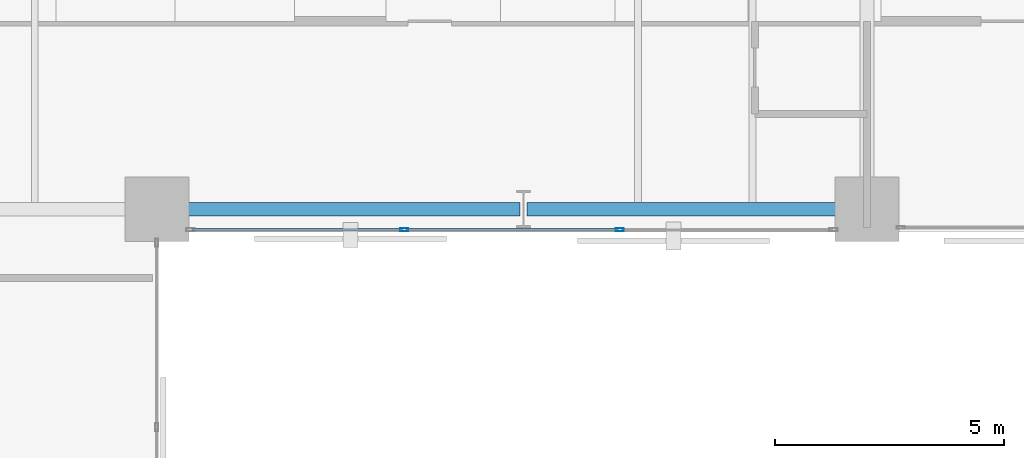
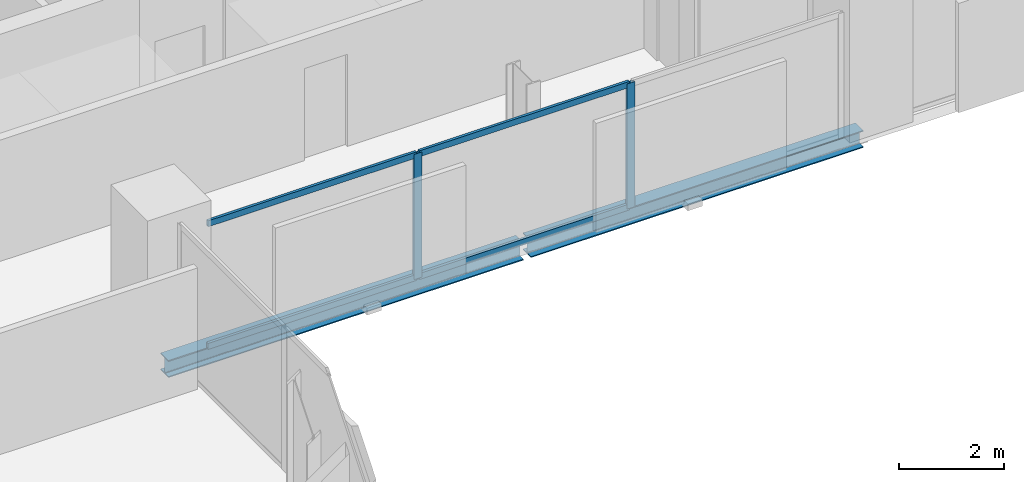
# One storey, part 14 of 32: 6 members, 2 beams, 1 element without a shape of its own.
"""IFC4 building model written with IfcOpenShell, lengths in metres."""

from ifc_helpers import new_model, si_unit, direction, frame, origin, origin_2d, place, context, subcontext, project, spatial, hollow_rectangle, i_section, extrude, material, layer, layer_set, material_profile, profile_set, type_object, element, aggregate, save


model = new_model("IFC4")

# Units and contexts
model_context = context("Model", 3, precision=1e-05, world=origin(), true_north=direction((0.0, 1.0)))
body_context = subcontext(model_context, "Body", "Model", "MODEL_VIEW")
ifc_project = project(units=[si_unit("LENGTHUNIT", "METRE"), si_unit("AREAUNIT", "SQUARE_METRE"), si_unit("VOLUMEUNIT", "CUBIC_METRE"), si_unit("PLANEANGLEUNIT", "RADIAN"), si_unit("MASSUNIT", "GRAM", prefix="KILO")], contexts=[model_context])

# Site, building, storey
site_placement = place(None, origin())
site = spatial("IfcSite", under=ifc_project, at=site_placement, CompositionType="ELEMENT")
building_placement = place(site_placement, origin())
building = spatial("IfcBuilding", under=site, at=building_placement, Name="Catumbela Crestline Tower", CompositionType="ELEMENT")
storey_placement = place(building_placement, frame((0.0, 0.0, 69.0)))
storey = spatial("IfcBuildingStorey", under=building, at=storey_placement, Name="L17", CompositionType="ELEMENT", Elevation=69.0)

# Curtain wall, members
ifc_material_1 = material(Name="Aluminium alloy AW-6060-T66", Category="aluminium")
ifc_layer = layer(ifc_material_1, 0.18, Name="Aluminium alloy AW-6060-T66")
ifc_layer_set = layer_set([ifc_layer], Name="Aluminium alloy AW-6060-T66")
curtain_wall_type = type_object("IfcCurtainWallType", Name="CWU-Z1", PredefinedType="USERDEFINED", material=ifc_layer_set)
curtain_wall_placement = place(storey_placement, origin())
curtain_wall = element("IfcCurtainWall", 1, at=curtain_wall_placement, inside=storey, type_object=curtain_wall_type, Name="L17 Unitised Curtain Wall CW-L17-E3S1", ObjectType="UNITISED", PredefinedType="USERDEFINED")
ifc_material_profile_1 = material_profile(ifc_material_1, hollow_rectangle(XDim=0.065, YDim=0.18, WallThickness=0.004, at=origin_2d()), Name="ALU 180x65x4")
ifc_profile_set_1 = profile_set([ifc_material_profile_1], Name="Aluminium alloy AW-6060-T66")
member_type_1 = type_object("IfcMemberType", Name="MUL-180X65", PredefinedType="MULLION", material=ifc_profile_set_1)
member_1_placement = place(storey_placement, frame((29.4, 24.05, 0.0), z_axis=(0.0, 0.0, 1.0), x_axis=(0.0, 1.0, 0.0)))
member_1 = element("IfcMember", 2, at=member_1_placement, type_object=member_type_1, Name="CWU-Z1 mullion 2", PredefinedType="MULLION", context=body_context, shape_type="SweptSolid", body=[
    extrude(hollow_rectangle(XDim=0.065, YDim=0.18, WallThickness=0.004, at=origin_2d()), origin(), (0.0, 0.0, 1.0), 2.92),
])
member_2_placement = place(storey_placement, frame((34.1, 24.05, 0.0), z_axis=(0.0, 0.0, 1.0), x_axis=(0.0, 1.0, 0.0)))
member_2 = element("IfcMember", 3, at=member_2_placement, type_object=member_type_1, Name="CWU-Z1 mullion 3", PredefinedType="MULLION", context=body_context, shape_type="SweptSolid", body=[
    extrude(hollow_rectangle(XDim=0.065, YDim=0.18, WallThickness=0.004, at=origin_2d()), origin(), (0.0, 0.0, 1.0), 2.92),
])

# Beams
ifc_material_2 = material(Name="Structural steel S355J2", Category="steel")
ifc_material_profile_2 = material_profile(ifc_material_2, i_section(OverallWidth=0.3, OverallDepth=0.4, WebThickness=0.0135, FlangeThickness=0.024, FilletRadius=0.027, at=origin_2d()), Name="HEB 400")
ifc_profile_set_2 = profile_set([ifc_material_profile_2], Name="Structural steel S355J2")
beam_type = type_object("IfcBeamType", Name="BS-HEB400", PredefinedType="SPANDREL", material=ifc_profile_set_2)
beam_1_placement = place(storey_placement, frame((24.08, 24.5, -0.46), z_axis=(1.0, 0.0, 0.0), x_axis=(0.0, 1.0, 0.0)))
element("IfcBeam", 4, at=beam_1_placement, inside=storey, type_object=beam_type, Name="L17 Spandrel SP-L17-S05", PredefinedType="SPANDREL", context=body_context, shape_type="SweptSolid", body=[
    extrude(i_section(OverallWidth=0.3, OverallDepth=0.4, WebThickness=0.0135, FlangeThickness=0.024, FilletRadius=0.027, at=origin_2d()), origin(), (0.0, 0.0, 1.0), 7.84),
])
beam_2_placement = place(storey_placement, frame((32.08, 24.5, -0.46), z_axis=(1.0, 0.0, 0.0), x_axis=(0.0, 1.0, 0.0)))
element("IfcBeam", 5, at=beam_2_placement, inside=storey, type_object=beam_type, Name="L17 Spandrel SP-L17-S06", PredefinedType="SPANDREL", context=body_context, shape_type="SweptSolid", body=[
    extrude(i_section(OverallWidth=0.3, OverallDepth=0.4, WebThickness=0.0135, FlangeThickness=0.024, FilletRadius=0.027, at=origin_2d()), origin(), (0.0, 0.0, 1.0), 7.34),
])

# Member
ifc_material_profile_3 = material_profile(ifc_material_1, hollow_rectangle(XDim=0.06, YDim=0.14, WallThickness=0.004, at=origin_2d()), Name="ALU 140x60x4")
ifc_profile_set_3 = profile_set([ifc_material_profile_3], Name="Aluminium alloy AW-6060-T66")
member_type_2 = type_object("IfcMemberType", Name="TRN-140X60", PredefinedType="USERDEFINED", material=ifc_profile_set_3)
member_3_placement = place(storey_placement, frame((24.765, 24.05, 0.03), z_axis=(1.0, 0.0, 0.0), x_axis=(0.0, 1.0, 0.0)))
member_3 = element("IfcMember", 6, at=member_3_placement, type_object=member_type_2, Name="CWU-Z1 transom 1.1", ObjectType="TRANSOM", PredefinedType="USERDEFINED", context=body_context, shape_type="SweptSolid", body=[
    extrude(hollow_rectangle(XDim=0.06, YDim=0.14, WallThickness=0.004, at=origin_2d()), origin(), (0.0, 0.0, 1.0), 4.6025),
])

member_4_placement = place(storey_placement, frame((24.765, 24.05, 2.89), z_axis=(1.0, 0.0, 0.0), x_axis=(0.0, 1.0, 0.0)))
member_4 = element("IfcMember", 7, at=member_4_placement, type_object=member_type_2, Name="CWU-Z1 transom 1.2", ObjectType="TRANSOM", PredefinedType="USERDEFINED", context=body_context, shape_type="SweptSolid", body=[
    extrude(hollow_rectangle(XDim=0.06, YDim=0.14, WallThickness=0.004, at=origin_2d()), origin(), (0.0, 0.0, 1.0), 4.6025),
])

member_5_placement = place(storey_placement, frame((29.4325, 24.05, 0.03), z_axis=(1.0, 0.0, 0.0), x_axis=(0.0, 1.0, 0.0)))
member_5 = element("IfcMember", 8, at=member_5_placement, type_object=member_type_2, Name="CWU-Z1 transom 2.1", ObjectType="TRANSOM", PredefinedType="USERDEFINED", context=body_context, shape_type="SweptSolid", body=[
    extrude(hollow_rectangle(XDim=0.06, YDim=0.14, WallThickness=0.004, at=origin_2d()), origin(), (0.0, 0.0, 1.0), 4.635),
])

member_6_placement = place(storey_placement, frame((29.4325, 24.05, 2.89), z_axis=(1.0, 0.0, 0.0), x_axis=(0.0, 1.0, 0.0)))
member_6 = element("IfcMember", 9, at=member_6_placement, type_object=member_type_2, Name="CWU-Z1 transom 2.2", ObjectType="TRANSOM", PredefinedType="USERDEFINED", context=body_context, shape_type="SweptSolid", body=[
    extrude(hollow_rectangle(XDim=0.06, YDim=0.14, WallThickness=0.004, at=origin_2d()), origin(), (0.0, 0.0, 1.0), 4.635),
])

aggregate(curtain_wall, [member_1, member_2, member_3, member_4, member_5, member_6])

save(model, "model.ifc")
